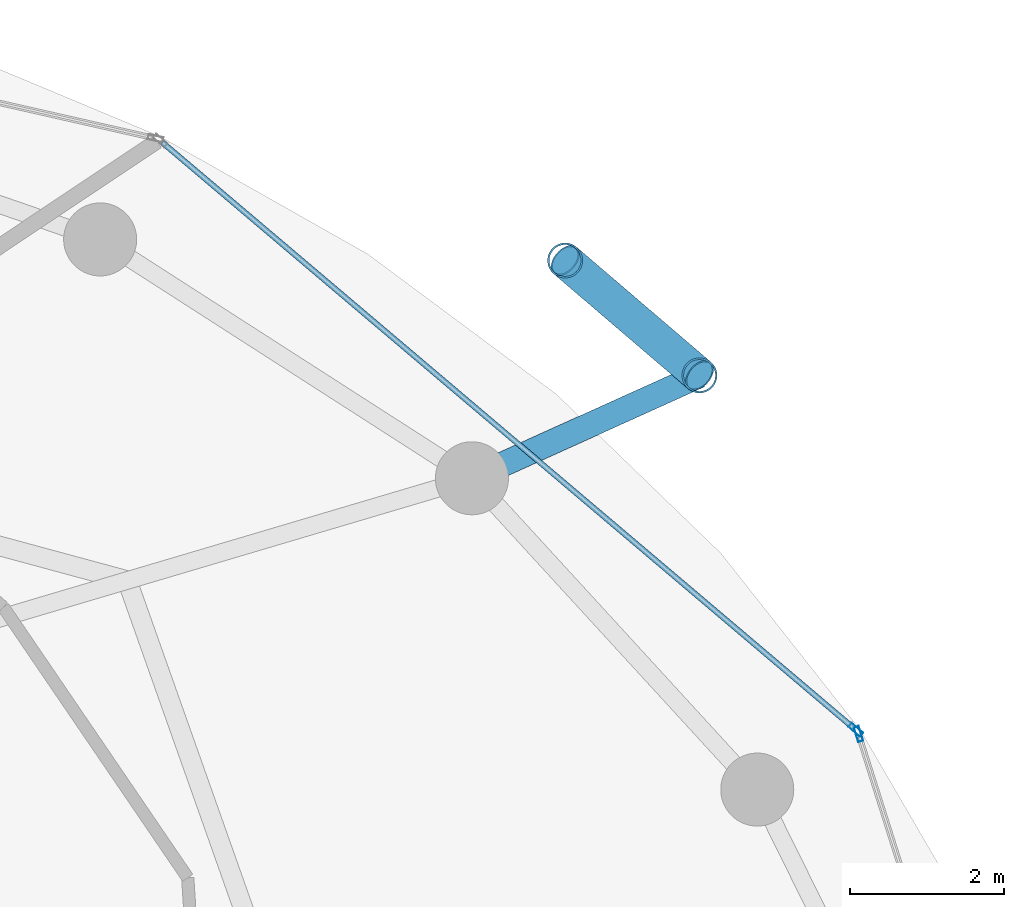
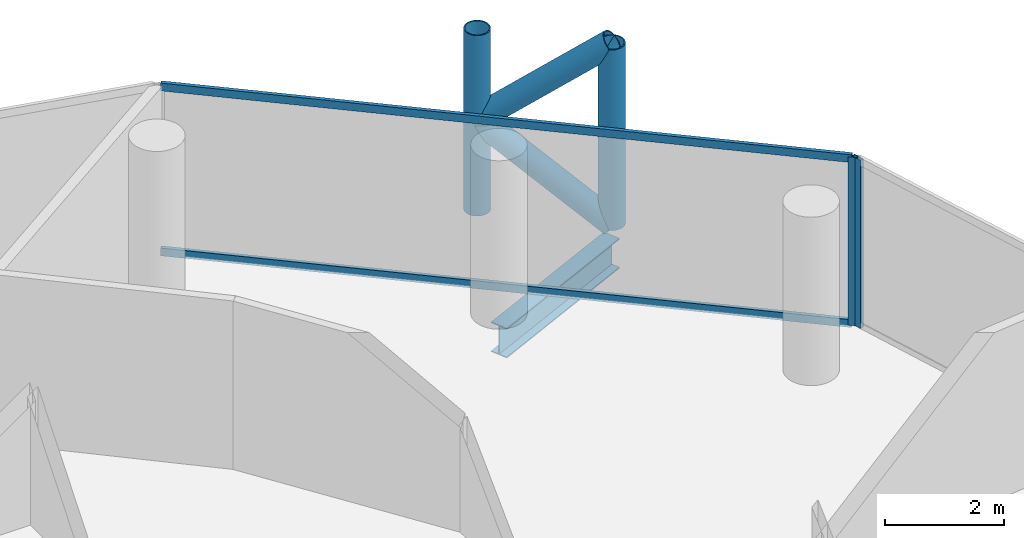
# One storey, part 19 of 26: 8 members, 1 beam, 2 elements without a shape of their own.
"""IFC4 building model written with IfcOpenShell, lengths in metres."""

import ifcopenshell
import ifcopenshell.guid

model = None  # the IFC model being written
_history = None  # IfcOwnerHistory: only IFC2X3 demands one
_inside = {}  # id of a spatial element -> (the spatial element, [elements in it])
_under = {}  # id of a project, library or spatial element -> (it, [spatial elements below it])
_declared = {}  # id of a project -> (the project, [libraries it declares])
_typed = {}  # id of a type object -> (the type object, [elements of that type])
_made_of = {}  # id of a material, layer set ... -> (it, [elements and type objects made of it])


def new_model(schema):
    """Start an empty IFC model of exactly this schema.

    Asked for "IFC4X3", IfcOpenShell would pick the latest addendum, in which some entities
    have other attributes; the version numbers below select the first issue.
    IFC2X3 requires an IfcOwnerHistory on every rooted entity: one is made here for all.
    """
    global model, _history
    if schema == "IFC4X3":
        model = ifcopenshell.file(schema_version=(4, 3, 0, 0))
    else:
        model = ifcopenshell.file(schema=schema)
    _inside.clear()
    _under.clear()
    _declared.clear()
    _typed.clear()
    _made_of.clear()
    _history = None
    if model.schema == "IFC2X3":
        org = make("IfcOrganization", Name="unknown")
        user = make(
            "IfcPersonAndOrganization",
            ThePerson=make("IfcPerson", FamilyName="unknown"),
            TheOrganization=org,
        )
        app = make(
            "IfcApplication",
            ApplicationDeveloper=org,
            Version="unknown",
            ApplicationFullName="unknown",
            ApplicationIdentifier="unknown",
        )
        _history = make(
            "IfcOwnerHistory",
            OwningUser=user,
            OwningApplication=app,
            ChangeAction="ADDED",
            CreationDate=0,
        )
    return model


def make(cls, **values):
    """One entity of the class cls with the attributes given. An attribute that is None is left unset."""
    return model.create_entity(
        cls, **{name: value for name, value in values.items() if value is not None}
    )


def rooted(cls, **values):
    """An entity with a GlobalId (a new one), such as an element, a storey or a relation."""
    return make(cls, GlobalId=ifcopenshell.guid.new(), OwnerHistory=_history, **values)


def si_unit(unit_type, name, prefix=None):
    """IfcSIUnit, for example si_unit("LENGTHUNIT", "METRE", prefix="MILLI")."""
    return make("IfcSIUnit", UnitType=unit_type, Prefix=prefix, Name=name)


def assignment(units):
    """IfcUnitAssignment: the units of a project."""
    return None if units is None else make("IfcUnitAssignment", Units=units)


def point(xyz):
    """IfcCartesianPoint."""
    return None if xyz is None else make("IfcCartesianPoint", Coordinates=xyz)


def direction(xyz):
    """IfcDirection."""
    return None if xyz is None else make("IfcDirection", DirectionRatios=xyz)


def frame(location, z_axis=None, x_axis=None):
    """IfcAxis2Placement3D, a coordinate frame: its origin and axes. An axis left out is left unset."""
    return make(
        "IfcAxis2Placement3D",
        Location=point(location),
        Axis=direction(z_axis),
        RefDirection=direction(x_axis),
    )


def frame_2d(location, x_axis=None):
    """IfcAxis2Placement2D, a coordinate frame in the plane: its origin and x axis."""
    return make(
        "IfcAxis2Placement2D", Location=point(location), RefDirection=direction(x_axis)
    )


def origin():
    """The frame at (0, 0, 0) with its axes left unset."""
    return frame((0.0, 0.0, 0.0))


def origin_2d():
    """The frame at (0, 0) in the plane with its x axis left unset."""
    return frame_2d((0.0, 0.0))


def place(relative_to, where):
    """IfcLocalPlacement: puts the frame where relative to a parent placement (None: the world)."""
    return make(
        "IfcLocalPlacement", PlacementRelTo=relative_to, RelativePlacement=where
    )


def context(
    kind, dimensions, precision=None, world=None, true_north=None, identifier=None
):
    """IfcGeometricRepresentationContext, for example the 3D "Model" context."""
    return make(
        "IfcGeometricRepresentationContext",
        ContextIdentifier=identifier,
        ContextType=kind,
        CoordinateSpaceDimension=dimensions,
        Precision=precision,
        WorldCoordinateSystem=world,
        TrueNorth=true_north,
    )


def subcontext(parent, identifier, kind, view, scale=None):
    """IfcGeometricRepresentationSubContext, for example "Body" below "Model"."""
    return make(
        "IfcGeometricRepresentationSubContext",
        ContextIdentifier=identifier,
        ContextType=kind,
        ParentContext=parent,
        TargetScale=scale,
        TargetView=view,
    )


def project(units=None, contexts=None):
    """IfcProject with its units and contexts."""
    return rooted(
        "IfcProject",
        Name="project",
        RepresentationContexts=contexts,
        UnitsInContext=assignment(units),
    )


def spatial(cls, under=None, at=None, **own):
    """A site, building, storey or space (cls), placed at a placement, below another one or the project."""
    s = rooted(cls, ObjectPlacement=at, **own)
    if under is not None:
        _under.setdefault(under.id(), (under, []))[1].append(s)
    return s


def profile(cls, at=None, kind="AREA", **sizes):
    """A parametric profile (cls). Its sizes go by their IFC names, for example OverallWidth=200.0."""
    return make(cls, ProfileType=kind, Position=at, **sizes)


def hollow_rectangle(**sizes):
    """IfcRectangleHollowProfileDef."""
    return profile("IfcRectangleHollowProfileDef", **sizes)


def hollow_circle(**sizes):
    """IfcCircleHollowProfileDef."""
    return profile("IfcCircleHollowProfileDef", **sizes)


def i_section(**sizes):
    """IfcIShapeProfileDef."""
    return profile("IfcIShapeProfileDef", **sizes)


def extrude(swept, where, along, depth):
    """IfcExtrudedAreaSolid: the profile swept, set in the frame where, extruded along a direction by depth."""
    return make(
        "IfcExtrudedAreaSolid",
        SweptArea=swept,
        Position=where,
        ExtrudedDirection=direction(along),
        Depth=depth,
    )


def shape(context_of_items, identifier, shape_type, items):
    """IfcShapeRepresentation: the items that make up one representation, for example the "Body"."""
    return make(
        "IfcShapeRepresentation",
        ContextOfItems=context_of_items,
        RepresentationIdentifier=identifier,
        RepresentationType=shape_type,
        Items=items,
    )


def material(Name=None, Category=None):
    """IfcMaterial."""
    return make("IfcMaterial", Name=Name, Category=Category)


def layer(
    of_material, thickness, ventilated=None, Name=None, Category=None, Priority=None
):
    """IfcMaterialLayer: one layer of a wall or slab, of a material (None: an air gap)."""
    return make(
        "IfcMaterialLayer",
        Material=of_material,
        LayerThickness=thickness,
        IsVentilated=ventilated,
        Name=Name,
        Category=Category,
        Priority=Priority,
    )


def layer_set(layers, Name=None):
    """IfcMaterialLayerSet."""
    return make("IfcMaterialLayerSet", MaterialLayers=layers, LayerSetName=Name)


def material_profile(
    of_material, cross_section, Name=None, Category=None, Priority=None
):
    """IfcMaterialProfile: a cross section and its material."""
    return make(
        "IfcMaterialProfile",
        Name=Name,
        Material=of_material,
        Profile=cross_section,
        Priority=Priority,
        Category=Category,
    )


def profile_set(profiles, Name=None, composite=None):
    """IfcMaterialProfileSet."""
    return make(
        "IfcMaterialProfileSet",
        Name=Name,
        MaterialProfiles=profiles,
        CompositeProfile=composite,
    )


def made_of(thing, what):
    """Note that an element or type object is made of a material, layer set ...; save() writes the relation."""
    if what is not None:
        _made_of.setdefault(what.id(), (what, []))[1].append(thing)
    return thing


def type_object(cls, material=None, **own):
    """A type object (cls), such as IfcWallType, which elements share."""
    return made_of(rooted(cls, **own), material)


def element(
    cls,
    number,
    at=None,
    inside=None,
    cuts=None,
    type_object=None,
    material=None,
    context=None,
    identifier="Body",
    shape_type=None,
    held_by="IfcProductDefinitionShape",
    body=None,
    shapes=None,
    **own,
):
    """One element of the class cls, such as IfcWall. Its Tag is "e" and its number.

    at: its placement. inside: the storey or other place that contains it. cuts: it is an
    opening in that element (IfcRelVoidsElement). A single representation is given by context,
    identifier, shape_type and body (its items); several are given by shapes. held_by: the class
    of the entity that holds the representations. save() writes the other relations.
    """
    e = rooted(cls, Tag="e%d" % number, ObjectPlacement=at, **own)
    if body is not None:
        shapes = [shape(context, identifier, shape_type, body)]
    if shapes is not None:
        e.Representation = make(held_by, Representations=shapes)
    if inside is not None:
        _inside.setdefault(inside.id(), (inside, []))[1].append(e)
    if cuts is not None:
        rooted(
            "IfcRelVoidsElement", RelatingBuildingElement=cuts, RelatedOpeningElement=e
        )
    if type_object is not None:
        _typed.setdefault(type_object.id(), (type_object, []))[1].append(e)
    return made_of(e, material)


def aggregate(whole, parts):
    """IfcRelAggregates: a whole, such as a stair, and the parts it consists of."""
    return rooted("IfcRelAggregates", RelatingObject=whole, RelatedObjects=parts)


def save(model, path):
    """Write the relations noted so far, then the file.

    IfcRelAggregates (storeys below a building ...), IfcRelContainedInSpatialStructure (elements
    in a storey), IfcRelDefinesByType, IfcRelAssociatesMaterial and IfcRelDeclares: one each for
    every whole, place, type object, material and project.
    """
    for whole, parts in _under.values():
        aggregate(whole, parts)
    for where, things in _inside.values():
        rooted(
            "IfcRelContainedInSpatialStructure",
            RelatedElements=things,
            RelatingStructure=where,
        )
    for kind, things in _typed.values():
        rooted("IfcRelDefinesByType", RelatedObjects=things, RelatingType=kind)
    for what, things in _made_of.values():
        rooted("IfcRelAssociatesMaterial", RelatedObjects=things, RelatingMaterial=what)
    for by, libraries in _declared.values():
        rooted("IfcRelDeclares", RelatingContext=by, RelatedDefinitions=libraries)
    model.write(path)


model = new_model("IFC4")

# Units and contexts
model_context = context("Model", 3, precision=1e-05, world=origin(), true_north=direction((0.0, 1.0)))
body_context = subcontext(model_context, "Body", "Model", "MODEL_VIEW")
ifc_project = project(units=[si_unit("LENGTHUNIT", "METRE"), si_unit("AREAUNIT", "SQUARE_METRE"), si_unit("VOLUMEUNIT", "CUBIC_METRE"), si_unit("PLANEANGLEUNIT", "RADIAN"), si_unit("MASSUNIT", "GRAM", prefix="KILO")], contexts=[model_context])

# Site, building, storey
site_placement = place(None, origin())
site = spatial("IfcSite", under=ifc_project, at=site_placement, CompositionType="ELEMENT")
building_placement = place(site_placement, origin())
building = spatial("IfcBuilding", under=site, at=building_placement, Name="Nuhasar Tower", CompositionType="ELEMENT")
storey_placement = place(building_placement, frame((0.0, 0.0, 133.050048828125)))
storey = spatial("IfcBuildingStorey", under=building, at=storey_placement, Name="L31", CompositionType="ELEMENT", Elevation=133.050048828125)

# Beam
ifc_material_1 = material(Name="Steel S355", Category="steel")
ifc_material_profile_1 = material_profile(ifc_material_1, i_section(OverallWidth=0.323974609375, OverallDepth=0.611083984375, WebThickness=0.0126953125, FlangeThickness=0.01904296875, at=origin_2d()), Name="W24X104")
ifc_profile_set_1 = profile_set([ifc_material_profile_1], Name="Steel S355")
beam_type = type_object("IfcBeamType", Name="BM-TIE-W24X104", PredefinedType="BEAM", material=ifc_profile_set_1)
beam_placement = place(storey_placement, frame((55.510986328125, 40.6240234375, -0.554931640625), z_axis=(0.911239591969, 0.411876687891, 0.0), x_axis=(-0.411876687891, 0.911239591969, 0.0)))
element("IfcBeam", 1, at=beam_placement, inside=storey, type_object=beam_type, Name="L31 Exoskeleton Node Tie Beam 02", PredefinedType="BEAM", context=body_context, shape_type="SweptSolid", body=[
    extrude(i_section(OverallWidth=0.323974609375, OverallDepth=0.611083984375, WebThickness=0.0126953125, FlangeThickness=0.01904296875, at=origin_2d()), origin(), (0.0, 0.0, 1.0), 3.248291015625),
])

# Curtain wall, member
ifc_material_2 = material(Name="Aluminium 6063-T6", Category="aluminium")
ifc_layer = layer(ifc_material_2, 0.199951171875)
ifc_layer_set = layer_set([ifc_layer], Name="Aluminium 6063-T6")
curtain_wall_type = type_object("IfcCurtainWallType", Name="CW-Z2-HTL", PredefinedType="NOTDEFINED", material=ifc_layer_set)
curtain_wall_1_placement = place(storey_placement, origin())
curtain_wall_1 = element("IfcCurtainWall", 2, at=curtain_wall_1_placement, inside=storey, type_object=curtain_wall_type, Name="L31 Unitised Curtain Wall 01", PredefinedType="NOTDEFINED")
ifc_material_profile_2 = material_profile(ifc_material_2, hollow_rectangle(XDim=0.070068359375, YDim=0.199951171875, WallThickness=0.0048828125, at=origin_2d()), Name="CWM-3")
ifc_profile_set_2 = profile_set([ifc_material_profile_2], Name="Aluminium 6063-T6")
member_type_1 = type_object("IfcMemberType", Name="CW-MUL-S3", PredefinedType="MULLION", material=ifc_profile_set_2)
member_1_placement = place(storey_placement, frame((60.53955078125, 37.296630859375, 0.0), z_axis=(0.0, 0.0, 1.0), x_axis=(-0.953433389233, -0.301603667577, 0.0)))
member_1 = element("IfcMember", 3, at=member_1_placement, type_object=member_type_1, Name="CW-Z2 mullion 2", PredefinedType="MULLION", context=body_context, shape_type="SweptSolid", body=[
    extrude(hollow_rectangle(XDim=0.070068359375, YDim=0.199951171875, WallThickness=0.0048828125, at=origin_2d()), origin(), (0.0, 0.0, 1.0), 3.449951171875),
])
aggregate(curtain_wall_1, [member_1])

# Curtain wall, members
curtain_wall_2_placement = place(storey_placement, origin())
curtain_wall_2 = element("IfcCurtainWall", 4, at=curtain_wall_2_placement, inside=storey, type_object=curtain_wall_type, Name="L31 Unitised Curtain Wall 02", PredefinedType="NOTDEFINED")
member_2_placement = place(storey_placement, frame((60.502197265625, 37.3525390625, 0.0), z_axis=(0.0, 0.0, 1.0), x_axis=(-0.646374438324, -0.763020370292, 0.0)))
member_2 = element("IfcMember", 5, at=member_2_placement, type_object=member_type_1, Name="CW-Z2 mullion 1", PredefinedType="MULLION", context=body_context, shape_type="SweptSolid", body=[
    extrude(hollow_rectangle(XDim=0.070068359375, YDim=0.199951171875, WallThickness=0.0048828125, at=origin_2d()), origin(), (0.0, 0.0, 1.0), 3.449951171875),
])
ifc_material_profile_3 = material_profile(ifc_material_2, hollow_rectangle(XDim=0.070068359375, YDim=0.159912109375, WallThickness=0.00439453125, at=origin_2d()), Name="CWT-3")
ifc_profile_set_3 = profile_set([ifc_material_profile_3], Name="Aluminium 6063-T6")
member_type_2 = type_object("IfcMemberType", Name="CW-TRN-S3", PredefinedType="USERDEFINED", material=ifc_profile_set_3)
member_3_placement = place(storey_placement, frame((60.4755859375, 37.375244140625, 0.034912109375), z_axis=(-0.763023915269, 0.646370253592, 0.0), x_axis=(-0.646370253592, -0.763023915269, 0.0)))
member_3 = element("IfcMember", 6, at=member_3_placement, type_object=member_type_2, Name="CW-Z2 transom 1.1", ObjectType="TRANSOM", PredefinedType="USERDEFINED", context=body_context, shape_type="SweptSolid", body=[
    extrude(hollow_rectangle(XDim=0.070068359375, YDim=0.159912109375, WallThickness=0.00439453125, at=origin_2d()), origin(), (0.0, 0.0, 1.0), 11.784912109375),
])
member_4_placement = place(storey_placement, frame((60.4755859375, 37.375244140625, 3.4150390625), z_axis=(-0.763023915269, 0.646370253592, 0.0), x_axis=(-0.646370253592, -0.763023915269, 0.0)))
member_4 = element("IfcMember", 7, at=member_4_placement, type_object=member_type_2, Name="CW-Z2 transom 1.2", ObjectType="TRANSOM", PredefinedType="USERDEFINED", context=body_context, shape_type="SweptSolid", body=[
    extrude(hollow_rectangle(XDim=0.070068359375, YDim=0.159912109375, WallThickness=0.00439453125, at=origin_2d()), origin(), (0.0, 0.0, 1.0), 11.784912109375),
])
aggregate(curtain_wall_2, [member_2, member_3, member_4])

# Members
ifc_material_3 = material(Name="Steel S460", Category="steel")
ifc_material_profile_4 = material_profile(ifc_material_3, hollow_circle(Radius=0.228515625, WallThickness=0.022216796875, at=origin_2d()), Name="HSS457X22.2")
ifc_profile_set_4 = profile_set([ifc_material_profile_4], Name="Steel S460")
member_type_3 = type_object("IfcMemberType", Name="EXO-BRONZE-457", PredefinedType="BRACE", material=ifc_profile_set_4)
for number, where, z_axis, x_axis, name in (
    (8, (58.470947265625, 41.9619140625, 0.0), (0.0, 0.0, 1.0), (1.0, 0.0, 0.0), "L31 Exoskeleton Chord Column EC-02A"),
    (9, (56.722900390625, 43.45703125, 0.0), (0.0, 0.0, 1.0), (1.0, 0.0, 0.0), "L31 Exoskeleton Chord Column EC-02B"),
):
    element("IfcMember", number, at=place(storey_placement, frame(where, z_axis=z_axis, x_axis=x_axis)), inside=storey, type_object=member_type_3, Name=name, PredefinedType="BRACE", context=body_context, shape_type="SweptSolid", body=[
        extrude(hollow_circle(Radius=0.228515625, WallThickness=0.022216796875, at=origin_2d()), origin(), (0.0, 0.0, 1.0), 3.699951171875),
    ])
member_5_placement = place(storey_placement, frame((58.470947265625, 41.9619140625, 0.0), z_axis=(-0.592201065785, 0.506513872468, 0.626690988192), x_axis=(-0.649986859795, -0.759945446788, 0.0)))
element("IfcMember", 10, at=member_5_placement, inside=storey, type_object=member_type_3, Name="L31 Bronze Diagrid Brace W1-02", PredefinedType="BRACE", context=body_context, shape_type="SweptSolid", body=[
    extrude(hollow_circle(Radius=0.228515625, WallThickness=0.022216796875, at=origin_2d()), origin(), (0.0, 0.0, 1.0), 2.95166015625),
])
member_6_placement = place(storey_placement, frame((56.722900390625, 43.45703125, 1.849853515625), z_axis=(0.592170370358, -0.506487618445, 0.626741210415), x_axis=(0.649986859795, 0.759945446788, 0.0)))
element("IfcMember", 11, at=member_6_placement, inside=storey, type_object=member_type_3, Name="L31 Bronze Diagrid Brace W2-02", PredefinedType="BRACE", context=body_context, shape_type="SweptSolid", body=[
    extrude(hollow_circle(Radius=0.228515625, WallThickness=0.022216796875, at=origin_2d()), origin(), (0.0, 0.0, 1.0), 2.951904296875),
])

save(model, "model.ifc")
